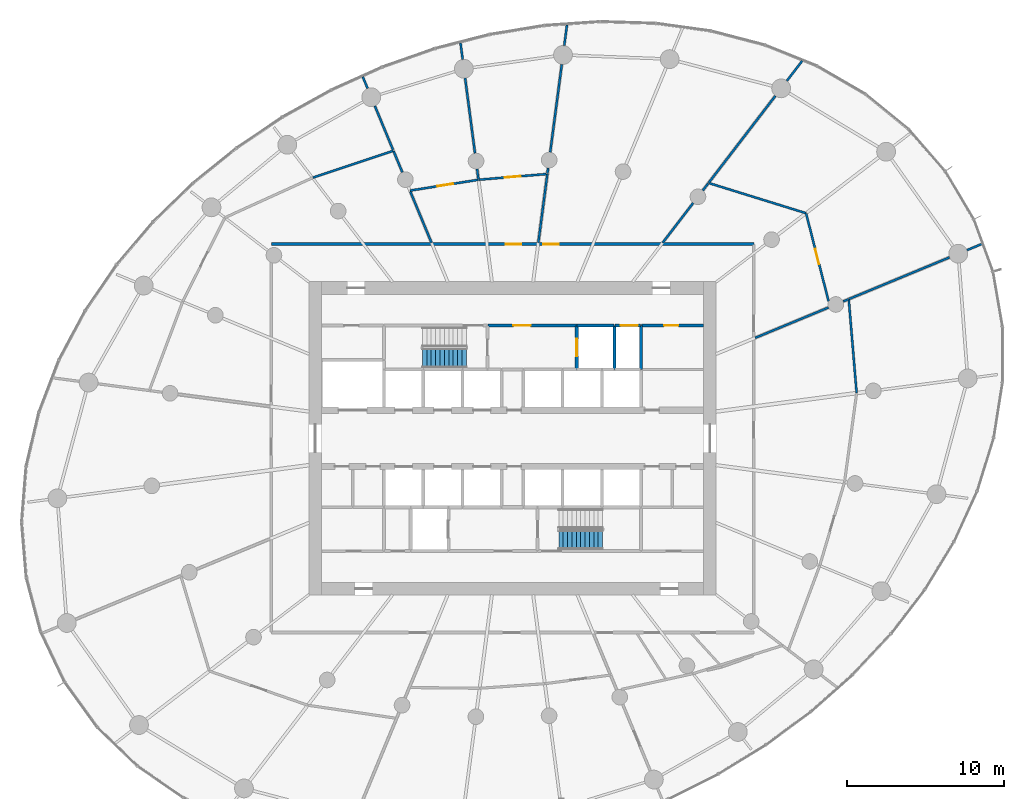
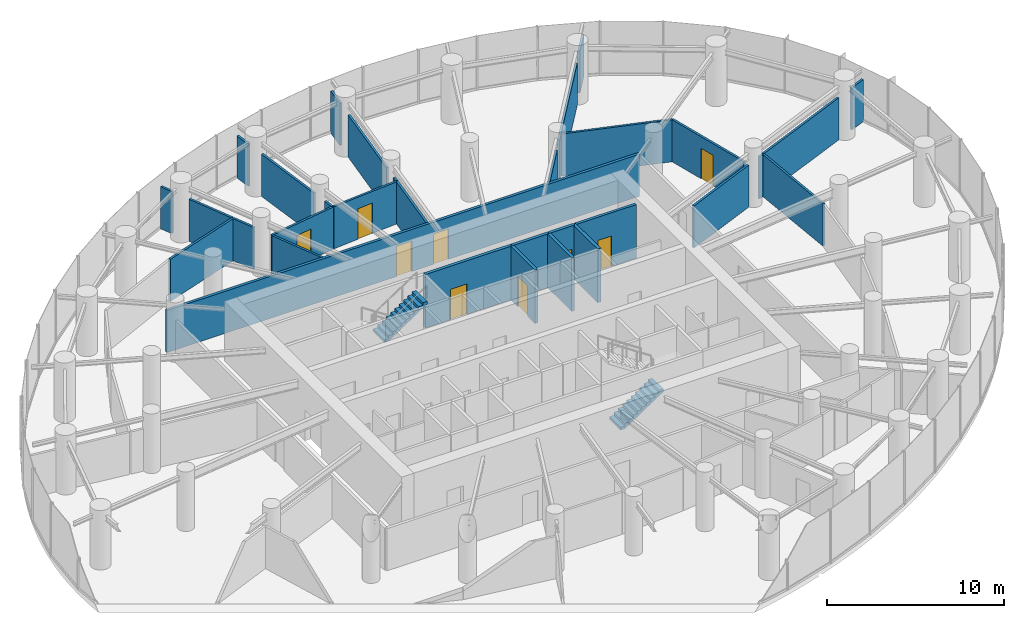
# One storey, part 13 of 17: 33 walls, 9 doors, 2 stair flights, 9 openings, 2 elements without a shape of their own.
"""IFC4 building model written with IfcOpenShell, lengths in metres."""

from ifc_helpers import new_model, si_unit, direction, frame, frame_2d, origin, place, context, subcontext, project, spatial, line, indexed_curve, rectangle, outline, extrude, source, transform, mapped, material, layer, layer_set, type_object, element, fill, aggregate, save


model = new_model("IFC4")

# Units and contexts
model_context = context("Model", 3, precision=1e-05, world=origin(), true_north=direction((0.0, 1.0)))
body_context = subcontext(model_context, "Body", "Model", "MODEL_VIEW")
ifc_project = project(units=[si_unit("LENGTHUNIT", "METRE"), si_unit("AREAUNIT", "SQUARE_METRE"), si_unit("VOLUMEUNIT", "CUBIC_METRE"), si_unit("PLANEANGLEUNIT", "RADIAN"), si_unit("MASSUNIT", "GRAM", prefix="KILO")], contexts=[model_context])

# Site, building, storey
site_placement = place(None, origin())
site = spatial("IfcSite", under=ifc_project, at=site_placement, CompositionType="ELEMENT")
building_placement = place(site_placement, origin())
building = spatial("IfcBuilding", under=site, at=building_placement, Name="Spindrift Exchange Tower", CompositionType="ELEMENT")
storey_placement = place(building_placement, frame((0.0, 0.0, 96.199951171875)))
storey = spatial("IfcBuildingStorey", under=building, at=storey_placement, Name="L22", CompositionType="ELEMENT", Elevation=96.199951171875)

# Wall, opening, door
ifc_material_1 = material(Name="Fire-rated plasterboard partition", Category="gypsum")
ifc_layer_1 = layer(ifc_material_1, 0.179931640625)
ifc_layer_set_1 = layer_set([ifc_layer_1], Name="W-CORR-180")
wall_type_1 = type_object("IfcWallType", Name="W-CORR-180", PredefinedType="PARTITIONING", material=ifc_layer_set_1)
wall_1_placement = place(storey_placement, frame((64.179931640625, 55.199951171875, 0.0), z_axis=(0.0, 0.0, 1.0), x_axis=(-1.0, 0.0, 0.0)))
wall_1 = element("IfcWall", 1, at=wall_1_placement, inside=storey, type_object=wall_type_1, Name="L22 Partition wall 62", PredefinedType="PARTITIONING", context=body_context, shape_type="SweptSolid", body=[
    extrude(rectangle(XDim=3.949951171875, YDim=0.179931640625, at=frame_2d((1.97509765625, 0.0))), origin(), (0.0, 0.0, 1.0), 3.699951171875),
])
opening_1_placement = place(wall_1_placement, frame((1.60009765625, 0.0, 0.0)))
opening_1 = element("IfcOpeningElement", 2, at=opening_1_placement, cuts=wall_1, Name="Opening L22-D48", PredefinedType="OPENING", context=body_context, shape_type="SweptSolid", body=[
    extrude(rectangle(XDim=0.89990234375, YDim=2.10009765625, at=frame_2d((0.449951171875, 1.050048828125))), frame((0.0, 0.099853515625, 0.0), z_axis=(0.0, -1.0, 0.0), x_axis=(1.0, 0.0, 0.0)), (0.0, 0.0, 1.0), 0.199951171875),
])
ifc_material_2 = material(Name="Steel access door", Category="steel")
door_type_1 = type_object("IfcDoorType", Name="DR-RISER-900", OperationType="NOTDEFINED", PredefinedType="DOOR", material=ifc_material_2)
shared_shape_1 = source(origin(), body_context, "Body", "SweptSolid", [
    extrude(rectangle(XDim=0.89990234375, YDim=2.10009765625, at=frame_2d((0.449951171875, 1.050048828125))), frame((0.0, 0.02490234375, 0.0), z_axis=(0.0, -1.0, 0.0), x_axis=(1.0, 0.0, 0.0)), (0.0, 0.0, 1.0), 0.050048828125),
])
door_1_placement = place(opening_1_placement, origin())
door_1 = element("IfcDoor", 3, at=door_1_placement, inside=storey, type_object=door_type_1, Name="L22 Riser door 48", OperationType="SINGLE_SWING_LEFT", OverallHeight=2.10009765625, OverallWidth=0.89990234375, PredefinedType="DOOR", context=body_context, shape_type="MappedRepresentation", body=[
    mapped(shared_shape_1, transform((0.0, 0.0, 0.0), scale=1.0)),
])
fill(opening_1, door_1)

# Wall
ifc_layer_2 = layer(ifc_material_1, 0.139892578125)
ifc_layer_set_2 = layer_set([ifc_layer_2], Name="W-PART-140")
wall_type_2 = type_object("IfcWallType", Name="W-PART-140", PredefinedType="PARTITIONING", material=ifc_layer_set_2)
wall_2_placement = place(storey_placement, frame((70.734619140625, 62.37548828125, 0.0), z_axis=(0.0, 0.0, 1.0), x_axis=(-0.955154002862, 0.296109491264, 0.0)))
element("IfcWall", 4, at=wall_2_placement, inside=storey, type_object=wall_type_2, Name="L22 Partition wall 70", PredefinedType="PARTITIONING", context=body_context, shape_type="SweptSolid", body=[
    extrude(rectangle(XDim=6.44091796875, YDim=0.139892578125, at=frame_2d((3.220458984375, 0.0))), origin(), (0.0, 0.0, 1.0), 2.900146484375),
])

# Wall, opening, door
wall_3_placement = place(storey_placement, frame((70.741943359375, 62.346435546875, 0.0), z_axis=(0.0, 0.0, 1.0), x_axis=(0.248578766965, -0.968611685153, 0.0)))
wall_3 = element("IfcWall", 5, at=wall_3_placement, inside=storey, type_object=wall_type_2, Name="L22 Partition wall 78", PredefinedType="PARTITIONING", context=body_context, shape_type="SweptSolid", body=[
    extrude(rectangle(XDim=5.77490234375, YDim=0.139892578125, at=frame_2d((2.887451171875, 0.0))), origin(), (0.0, 0.0, 1.0), 2.900146484375),
])
opening_2_placement = place(wall_3_placement, frame((2.3251953125, 0.0, 0.0)))
opening_2 = element("IfcOpeningElement", 6, at=opening_2_placement, cuts=wall_3, Name="Opening L22-D31", PredefinedType="OPENING", context=body_context, shape_type="SweptSolid", body=[
    extrude(rectangle(XDim=1.0, YDim=2.10009765625, at=frame_2d((0.5, 1.050048828125))), frame((0.0, 0.079833984375, 0.0), z_axis=(0.0, -1.0, 0.0), x_axis=(1.0, 0.0, 0.0)), (0.0, 0.0, 1.0), 0.159912109375),
])
ifc_material_3 = material(Name="Timber-core fire door", Category="wood")
door_type_2 = type_object("IfcDoorType", Name="DR-ROOM-1000", OperationType="NOTDEFINED", PredefinedType="DOOR", material=ifc_material_3)
shared_shape_2 = source(origin(), body_context, "Body", "SweptSolid", [
    extrude(rectangle(XDim=1.0, YDim=2.10009765625, at=frame_2d((0.5, 1.050048828125))), frame((0.0, 0.02490234375, 0.0), z_axis=(0.0, -1.0, 0.0), x_axis=(1.0, 0.0, 0.0)), (0.0, 0.0, 1.0), 0.050048828125),
])
door_2_placement = place(opening_2_placement, origin())
door_2 = element("IfcDoor", 7, at=door_2_placement, inside=storey, type_object=door_type_2, Name="L22 Door 31", OperationType="SINGLE_SWING_RIGHT", OverallHeight=2.10009765625, OverallWidth=1.0, PredefinedType="DOOR", context=body_context, shape_type="MappedRepresentation", body=[
    mapped(shared_shape_2, transform((0.0, 0.0, 0.0), scale=1.0)),
])
fill(opening_2, door_2)

# Wall
wall_4_placement = place(storey_placement, frame((67.489990234375, 54.416259765625, 0.0), z_axis=(0.0, 0.0, 1.0), x_axis=(0.923890025086, 0.382658100067, 0.0)))
element("IfcWall", 8, at=wall_4_placement, inside=storey, type_object=wall_type_2, Name="L22 Partition wall 86", PredefinedType="PARTITIONING", context=body_context, shape_type="SweptSolid", body=[
    extrude(rectangle(XDim=5.068359375, YDim=0.139892578125, at=frame_2d((2.5341796875, 0.0))), origin(), (0.0, 0.0, 1.0), 2.900146484375),
])

# Wall, opening, door
wall_5_placement = place(storey_placement, frame((49.856201171875, 64.5126953125, 0.0), z_axis=(0.0, 0.0, 1.0), x_axis=(0.996498324855, 0.083612729662, 0.0)))
wall_5 = element("IfcWall", 9, at=wall_5_placement, inside=storey, type_object=wall_type_2, Name="L22 Partition wall 94", PredefinedType="PARTITIONING", context=body_context, shape_type="SweptSolid", body=[
    extrude(rectangle(XDim=4.309814453125, YDim=0.139892578125, at=frame_2d((2.15478515625, 0.0))), origin(), (0.0, 0.0, 1.0), 2.900146484375),
])
opening_3_placement = place(wall_5_placement, frame((1.65966796875, 0.0, 0.0)))
opening_3 = element("IfcOpeningElement", 10, at=opening_3_placement, cuts=wall_5, Name="Opening L22-D34", PredefinedType="OPENING", context=body_context, shape_type="SweptSolid", body=[
    extrude(rectangle(XDim=1.0, YDim=2.10009765625, at=frame_2d((0.5, 1.050048828125))), frame((0.0, 0.079833984375, 0.0), z_axis=(0.0, -1.0, 0.0), x_axis=(1.0, 0.0, 0.0)), (0.0, 0.0, 1.0), 0.159912109375),
])
door_3_placement = place(opening_3_placement, origin())
door_3 = element("IfcDoor", 11, at=door_3_placement, inside=storey, type_object=door_type_2, Name="L22 Door 34", OperationType="SINGLE_SWING_LEFT", OverallHeight=2.10009765625, OverallWidth=1.0, PredefinedType="DOOR", context=body_context, shape_type="MappedRepresentation", body=[
    mapped(shared_shape_2, transform((0.0, 0.0, 0.0), scale=1.0)),
])
fill(opening_3, door_3)

# Walls
wall_6_placement = place(storey_placement, frame((73.10595703125, 56.7421875, 0.0), z_axis=(0.0, 0.0, 1.0), x_axis=(0.923646914224, 0.383244540529, 0.0)))
element("IfcWall", 12, at=wall_6_placement, inside=storey, type_object=wall_type_2, Name="L22 Partition wall 128", PredefinedType="PARTITIONING", context=body_context, shape_type="SweptSolid", body=[
    extrude(rectangle(XDim=0.354248046875, YDim=0.139892578125, at=frame_2d((0.17724609375, 0.0))), origin(), (0.0, 0.0, 1.0), 2.900146484375),
])
ifc_layer_3 = layer(ifc_material_1, 0.139892578125)
ifc_layer_set_3 = layer_set([ifc_layer_3], Name="W-PLANT-140")
wall_type_3 = type_object("IfcWallType", Name="W-PLANT-140", PredefinedType="PARTITIONING", material=ifc_layer_set_3)
wall_7_placement = place(storey_placement, frame((64.51123046875, 64.304931640625, 0.0), z_axis=(0.0, 0.0, 1.0), x_axis=(0.608747408716, 0.793364098244, 0.0)))
element("IfcWall", 13, at=wall_7_placement, inside=storey, type_object=wall_type_3, Name="L22 Partition wall 66", PredefinedType="PARTITIONING", context=body_context, shape_type="SweptSolid", body=[
    extrude(rectangle(XDim=7.0087890625, YDim=0.139892578125, at=frame_2d((3.50439453125, 0.0))), origin(), (0.0, 0.0, 1.0), 2.900146484375),
])
wall_8_placement = place(storey_placement, frame((73.4609375, 56.889404296875, 0.0), z_axis=(0.0, 0.0, 1.0), x_axis=(0.923875437127, 0.382693319347, 0.0)))
element("IfcWall", 14, at=wall_8_placement, inside=storey, type_object=wall_type_3, Name="L22 Partition wall 67", PredefinedType="PARTITIONING", context=body_context, shape_type="SweptSolid", body=[
    extrude(rectangle(XDim=6.9658203125, YDim=0.139892578125, at=frame_2d((3.48291015625, 0.0))), origin(), (0.0, 0.0, 1.0), 2.900146484375),
])
wall_9_placement = place(storey_placement, frame((73.9658203125, 50.891845703125, 0.0), z_axis=(0.0, 0.0, 1.0), x_axis=(-0.083895623438, 0.996474547777, 0.0)))
element("IfcWall", 15, at=wall_9_placement, inside=storey, type_object=wall_type_3, Name="L22 Partition wall 74", PredefinedType="PARTITIONING", context=body_context, shape_type="SweptSolid", body=[
    extrude(rectangle(XDim=5.98876953125, YDim=0.139892578125, at=frame_2d((2.994384765625, 0.0))), origin(), (0.0, 0.0, 1.0), 2.900146484375),
])
wall_10_placement = place(storey_placement, frame((54.405029296875, 66.267333984375, 0.0), z_axis=(0.0, 0.0, 1.0), x_axis=(0.130510314557, 0.991446951578, 0.0)))
element("IfcWall", 16, at=wall_10_placement, inside=storey, type_object=wall_type_3, Name="L22 Partition wall 82", PredefinedType="PARTITIONING", context=body_context, shape_type="SweptSolid", body=[
    extrude(rectangle(XDim=5.65869140625, YDim=0.139892578125, at=frame_2d((2.829345703125, 0.0))), origin(), (0.0, 0.0, 1.0), 2.900146484375),
])
wall_11_placement = place(storey_placement, frame((44.3935546875, 66.36328125, 0.0), z_axis=(0.0, 0.0, 1.0), x_axis=(-0.948344350496, -0.317242797999, 0.0)))
element("IfcWall", 17, at=wall_11_placement, inside=storey, type_object=wall_type_3, Name="L22 Partition wall 84", PredefinedType="PARTITIONING", context=body_context, shape_type="SweptSolid", body=[
    extrude(rectangle(XDim=5.410888671875, YDim=0.139892578125, at=frame_2d((2.70556640625, 0.0))), origin(), (0.0, 0.0, 1.0), 2.900146484375),
])
wall_12_placement = place(storey_placement, frame((49.603515625, 66.203369140625, 0.0), z_axis=(0.0, 0.0, 1.0), x_axis=(-0.130552494248, 0.991441398291, 0.0)))
element("IfcWall", 18, at=wall_12_placement, inside=storey, type_object=wall_type_3, Name="L22 Partition wall 87", PredefinedType="PARTITIONING", context=body_context, shape_type="SweptSolid", body=[
    extrude(rectangle(XDim=4.833984375, YDim=0.139892578125, at=frame_2d((2.4169921875, 0.0))), origin(), (0.0, 0.0, 1.0), 2.900146484375),
])
wall_13_placement = place(storey_placement, frame((53.644287109375, 60.489990234375, 0.0), z_axis=(0.0, 0.0, 1.0), x_axis=(0.130541536681, 0.991442841116, 0.0)))
element("IfcWall", 19, at=wall_13_placement, inside=storey, type_object=wall_type_3, Name="L22 Partition wall 90", PredefinedType="PARTITIONING", context=body_context, shape_type="SweptSolid", body=[
    extrude(rectangle(XDim=4.4267578125, YDim=0.139892578125, at=frame_2d((2.21337890625, 0.0))), origin(), (0.0, 0.0, 1.0), 2.900146484375),
])

# Wall, opening, door
wall_14_placement = place(storey_placement, frame((45.448486328125, 63.81640625, 0.0), z_axis=(0.0, 0.0, 1.0), x_axis=(0.987681104019, 0.156480148144, 0.0)))
wall_14 = element("IfcWall", 20, at=wall_14_placement, inside=storey, type_object=wall_type_3, Name="L22 Partition wall 93", PredefinedType="PARTITIONING", context=body_context, shape_type="SweptSolid", body=[
    extrude(rectangle(XDim=4.4326171875, YDim=0.139892578125, at=frame_2d((2.21630859375, 0.0))), origin(), (0.0, 0.0, 1.0), 2.900146484375),
])
opening_4_placement = place(wall_14_placement, frame((1.782470703125, 0.0, 0.0)))
opening_4 = element("IfcOpeningElement", 21, at=opening_4_placement, cuts=wall_14, Name="Opening L22-D35", PredefinedType="OPENING", context=body_context, shape_type="SweptSolid", body=[
    extrude(rectangle(XDim=1.0, YDim=2.10009765625, at=frame_2d((0.5, 1.050048828125))), frame((0.0, 0.079833984375, 0.0), z_axis=(0.0, -1.0, 0.0), x_axis=(1.0, 0.0, 0.0)), (0.0, 0.0, 1.0), 0.159912109375),
])
door_4_placement = place(opening_4_placement, origin())
door_4 = element("IfcDoor", 22, at=door_4_placement, inside=storey, type_object=door_type_2, Name="L22 Door 35", OperationType="SINGLE_SWING_RIGHT", OverallHeight=2.10009765625, OverallWidth=1.0, PredefinedType="DOOR", context=body_context, shape_type="MappedRepresentation", body=[
    mapped(shared_shape_2, transform((0.0, 0.0, 0.0), scale=1.0)),
])
fill(opening_4, door_4)

# Walls
wall_15_placement = place(storey_placement, frame((46.826416015625, 60.489990234375, 0.0), z_axis=(0.0, 0.0, 1.0), x_axis=(-0.382624745771, 0.923903839111, 0.0)))
element("IfcWall", 23, at=wall_15_placement, inside=storey, type_object=wall_type_3, Name="L22 Partition wall 100", PredefinedType="PARTITIONING", context=body_context, shape_type="SweptSolid", body=[
    extrude(rectangle(XDim=3.528564453125, YDim=0.139892578125, at=frame_2d((1.76416015625, 0.0))), origin(), (0.0, 0.0, 1.0), 2.900146484375),
])
wall_16_placement = place(storey_placement, frame((61.583984375, 60.489990234375, 0.0), z_axis=(0.0, 0.0, 1.0), x_axis=(0.60874605662, 0.793365135703, 0.0)))
element("IfcWall", 24, at=wall_16_placement, inside=storey, type_object=wall_type_3, Name="L22 Partition wall 101", PredefinedType="PARTITIONING", context=body_context, shape_type="SweptSolid", body=[
    extrude(rectangle(XDim=3.193603515625, YDim=0.139892578125, at=frame_2d((1.5966796875, 0.0))), origin(), (0.0, 0.0, 1.0), 2.900146484375),
])
wall_17_placement = place(storey_placement, frame((44.36669921875, 66.42822265625, 0.0), z_axis=(0.0, 0.0, 1.0), x_axis=(-0.382653687311, 0.923891852755, 0.0)))
element("IfcWall", 25, at=wall_17_placement, inside=storey, type_object=wall_type_3, Name="L22 Partition wall 102", PredefinedType="PARTITIONING", context=body_context, shape_type="SweptSolid", body=[
    extrude(rectangle(XDim=3.023681640625, YDim=0.139892578125, at=frame_2d((1.51171875, 0.0))), origin(), (0.0, 0.0, 1.0), 2.900146484375),
])
wall_18_placement = place(storey_placement, frame((69.513671875, 70.82421875, 0.0), z_axis=(0.0, 0.0, 1.0), x_axis=(0.608843265378, 0.79329053833, 0.0)))
element("IfcWall", 26, at=wall_18_placement, inside=storey, type_object=wall_type_3, Name="L22 Partition wall 114", PredefinedType="PARTITIONING", context=body_context, shape_type="SweptSolid", body=[
    extrude(rectangle(XDim=1.60546875, YDim=0.139892578125, at=frame_2d((0.802734375, 0.0))), origin(), (0.0, 0.0, 1.0), 2.900146484375),
])
wall_19_placement = place(storey_placement, frame((44.965087890625, 64.984130859375, 0.0), z_axis=(0.0, 0.0, 1.0), x_axis=(-0.382813576456, 0.923825614324, 0.0)))
element("IfcWall", 27, at=wall_19_placement, inside=storey, type_object=wall_type_3, Name="L22 Partition wall 116", PredefinedType="PARTITIONING", context=body_context, shape_type="SweptSolid", body=[
    extrude(rectangle(XDim=1.462890625, YDim=0.139892578125, at=frame_2d((0.7314453125, 0.0))), origin(), (0.0, 0.0, 1.0), 2.900146484375),
])
wall_20_placement = place(storey_placement, frame((55.30126953125, 73.075927734375, 0.0), z_axis=(0.0, 0.0, 1.0), x_axis=(0.130459252334, 0.991453671878, 0.0)))
element("IfcWall", 28, at=wall_20_placement, inside=storey, type_object=wall_type_3, Name="L22 Partition wall 117", PredefinedType="PARTITIONING", context=body_context, shape_type="SweptSolid", body=[
    extrude(rectangle(XDim=1.33251953125, YDim=0.139892578125, at=frame_2d((0.666259765625, 0.0))), origin(), (0.0, 0.0, 1.0), 2.900146484375),
])
wall_21_placement = place(storey_placement, frame((48.814697265625, 72.194580078125, 0.0), z_axis=(0.0, 0.0, 1.0), x_axis=(-0.130532066482, 0.991444087995, 0.0)))
element("IfcWall", 29, at=wall_21_placement, inside=storey, type_object=wall_type_3, Name="L22 Partition wall 119", PredefinedType="PARTITIONING", context=body_context, shape_type="SweptSolid", body=[
    extrude(rectangle(XDim=1.05859375, YDim=0.139892578125, at=frame_2d((0.529296875, 0.0))), origin(), (0.0, 0.0, 1.0), 2.900146484375),
])
wall_22_placement = place(storey_placement, frame((81.014404296875, 60.018310546875, 0.0), z_axis=(0.0, 0.0, 1.0), x_axis=(0.923912211219, 0.382604529457, 0.0)))
element("IfcWall", 30, at=wall_22_placement, inside=storey, type_object=wall_type_3, Name="L22 Partition wall 120", PredefinedType="PARTITIONING", context=body_context, shape_type="SweptSolid", body=[
    extrude(rectangle(XDim=1.05224609375, YDim=0.139892578125, at=frame_2d((0.526123046875, 0.0))), origin(), (0.0, 0.0, 1.0), 2.900146484375),
])
wall_23_placement = place(storey_placement, frame((42.74658203125, 70.339599609375, 0.0), z_axis=(0.0, 0.0, 1.0), x_axis=(-0.382766463222, 0.923845135633, 0.0)))
element("IfcWall", 31, at=wall_23_placement, inside=storey, type_object=wall_type_3, Name="L22 Partition wall 123", PredefinedType="PARTITIONING", context=body_context, shape_type="SweptSolid", body=[
    extrude(rectangle(XDim=0.79736328125, YDim=0.139892578125, at=frame_2d((0.398681640625, 0.0))), origin(), (0.0, 0.0, 1.0), 2.900146484375),
])
wall_24_placement = place(storey_placement, frame((49.822509765625, 64.539794921875, 0.0), z_axis=(0.0, 0.0, 1.0), x_axis=(-0.13063385496, 0.991430681358, 0.0)))
element("IfcWall", 32, at=wall_24_placement, inside=storey, type_object=wall_type_3, Name="L22 Partition wall 125", PredefinedType="PARTITIONING", context=body_context, shape_type="SweptSolid", body=[
    extrude(rectangle(XDim=0.6689453125, YDim=0.139892578125, at=frame_2d((0.33447265625, 0.0))), origin(), (0.0, 0.0, 1.0), 2.900146484375),
])
wall_25_placement = place(storey_placement, frame((64.14208984375, 63.823974609375, 0.0), z_axis=(0.0, 0.0, 1.0), x_axis=(0.608911807211, 0.793237928392, 0.0)))
element("IfcWall", 33, at=wall_25_placement, inside=storey, type_object=wall_type_3, Name="L22 Partition wall 126", PredefinedType="PARTITIONING", context=body_context, shape_type="SweptSolid", body=[
    extrude(rectangle(XDim=0.576171875, YDim=0.139892578125, at=frame_2d((0.2880859375, 0.0))), origin(), (0.0, 0.0, 1.0), 2.900146484375),
])
wall_26_placement = place(storey_placement, frame((54.22607421875, 64.90869140625, 0.0), z_axis=(0.0, 0.0, 1.0), x_axis=(0.130349686634, 0.991468082792, 0.0)))
element("IfcWall", 34, at=wall_26_placement, inside=storey, type_object=wall_type_3, Name="L22 Partition wall 127", PredefinedType="PARTITIONING", context=body_context, shape_type="SweptSolid", body=[
    extrude(rectangle(XDim=0.361572265625, YDim=0.139892578125, at=frame_2d((0.1806640625, 0.0))), origin(), (0.0, 0.0, 1.0), 2.900146484375),
])

# Wall, openings, doors
ifc_layer_4 = layer(ifc_material_1, 0.179931640625)
ifc_layer_set_4 = layer_set([ifc_layer_4], Name="W-PLANT-180")
wall_type_4 = type_object("IfcWallType", Name="W-PLANT-180", PredefinedType="PARTITIONING", material=ifc_layer_set_4)
wall_27_placement = place(storey_placement, frame((36.60009765625, 60.39990234375, 0.0), z_axis=(0.0, 0.0, 1.0), x_axis=(1.0, 0.0, 0.0)))
wall_27 = element("IfcWall", 35, at=wall_27_placement, inside=storey, type_object=wall_type_4, Name="L22 Partition wall 58", PredefinedType="PARTITIONING", context=body_context, shape_type="SweptSolid", body=[
    extrude(rectangle(XDim=30.7998046875, YDim=0.179931640625, at=frame_2d((15.39990234375, 0.0))), origin(), (0.0, 0.0, 1.0), 2.900146484375),
])
opening_5_placement = place(wall_27_placement, frame((17.35009765625, 0.0, 0.0)))
opening_5 = element("IfcOpeningElement", 36, at=opening_5_placement, cuts=wall_27, Name="Opening L22-D32", PredefinedType="OPENING", context=body_context, shape_type="SweptSolid", body=[
    extrude(rectangle(XDim=1.0, YDim=2.10009765625, at=frame_2d((0.5, 1.050048828125))), frame((0.0, 0.099853515625, 0.0), z_axis=(0.0, -1.0, 0.0), x_axis=(1.0, 0.0, 0.0)), (0.0, 0.0, 1.0), 0.199951171875),
])
opening_6_placement = place(wall_27_placement, frame((14.949951171875, 0.0, 0.0)))
opening_6 = element("IfcOpeningElement", 37, at=opening_6_placement, cuts=wall_27, Name="Opening L22-D33", PredefinedType="OPENING", context=body_context, shape_type="SweptSolid", body=[
    extrude(rectangle(XDim=1.0, YDim=2.10009765625, at=frame_2d((0.5, 1.050048828125))), frame((0.0, 0.099853515625, 0.0), z_axis=(0.0, -1.0, 0.0), x_axis=(1.0, 0.0, 0.0)), (0.0, 0.0, 1.0), 0.199951171875),
])
door_5_placement = place(opening_5_placement, origin())
door_5 = element("IfcDoor", 38, at=door_5_placement, inside=storey, type_object=door_type_2, Name="L22 Door 32", OperationType="SINGLE_SWING_LEFT", OverallHeight=2.10009765625, OverallWidth=1.0, PredefinedType="DOOR", context=body_context, shape_type="MappedRepresentation", body=[
    mapped(shared_shape_2, transform((0.0, 0.0, 0.0), scale=1.0)),
])
fill(opening_5, door_5)
door_6_placement = place(opening_6_placement, origin())
door_6 = element("IfcDoor", 39, at=door_6_placement, inside=storey, type_object=door_type_2, Name="L22 Door 33", OperationType="SINGLE_SWING_RIGHT", OverallHeight=2.10009765625, OverallWidth=1.0, PredefinedType="DOOR", context=body_context, shape_type="MappedRepresentation", body=[
    mapped(shared_shape_2, transform((0.0, 0.0, 0.0), scale=1.0)),
])
fill(opening_6, door_6)

# Wall, opening, door
ifc_material_4 = material(Name="Concrete 40 MPa", Category="concrete")
ifc_layer_5 = layer(ifc_material_4, 0.199951171875)
ifc_layer_set_5 = layer_set([ifc_layer_5], Name="W-SHAFT-200")
wall_type_5 = type_object("IfcWallType", Name="W-SHAFT-200", PredefinedType="SOLIDWALL", material=ifc_layer_set_5)
wall_28_placement = place(storey_placement, frame((56.10009765625, 55.169921875, 0.0), z_axis=(0.0, 0.0, 1.0), x_axis=(0.0, -1.0, 0.0)))
wall_28 = element("IfcWall", 40, at=wall_28_placement, inside=storey, type_object=wall_type_5, Name="L22 Shaft wall 12", PredefinedType="SOLIDWALL", context=body_context, shape_type="SweptSolid", body=[
    extrude(rectangle(XDim=2.77001953125, YDim=0.199951171875, at=frame_2d((1.385009765625, 0.0))), origin(), (0.0, 0.0, 1.0), 3.699951171875),
])
opening_7_placement = place(wall_28_placement, frame((0.820068359375, 0.0, 0.0)))
opening_7 = element("IfcOpeningElement", 41, at=opening_7_placement, cuts=wall_28, Name="Opening L22-D9", PredefinedType="OPENING", context=body_context, shape_type="SweptSolid", body=[
    extrude(rectangle(XDim=1.10009765625, YDim=2.10009765625, at=frame_2d((0.550048828125, 1.050048828125))), frame((0.0, 0.10986328125, 0.0), z_axis=(0.0, -1.0, 0.0), x_axis=(1.0, 0.0, 0.0)), (0.0, 0.0, 1.0), 0.219970703125),
])
ifc_material_5 = material(Name="Stainless steel landing door", Category="steel")
door_type_3 = type_object("IfcDoorType", Name="DR-LANDING-1100-SL", OperationType="DOUBLE_DOOR_SLIDING", PredefinedType="USERDEFINED", material=ifc_material_5)
shared_shape_3 = source(origin(), body_context, "Body", "SweptSolid", [
    extrude(rectangle(XDim=1.10009765625, YDim=2.10009765625, at=frame_2d((0.550048828125, 1.050048828125))), frame((0.0, 0.02490234375, 0.0), z_axis=(0.0, -1.0, 0.0), x_axis=(1.0, 0.0, 0.0)), (0.0, 0.0, 1.0), 0.050048828125),
])
door_7_placement = place(opening_7_placement, origin())
door_7 = element("IfcDoor", 42, at=door_7_placement, inside=storey, type_object=door_type_3, Name="L22 Lift landing door 9", ObjectType="LANDING DOOR", OperationType="DOUBLE_DOOR_SLIDING", OverallHeight=2.10009765625, OverallWidth=1.10009765625, PredefinedType="USERDEFINED", context=body_context, shape_type="MappedRepresentation", body=[
    mapped(shared_shape_3, transform((0.0, 0.0, 0.0), scale=1.0)),
])
fill(opening_7, door_7)

# Walls
for number, where, z_axis, x_axis, name in (
    (43, (58.5, 52.39990234375, 0.0), (0.0, 0.0, 1.0), (0.0, 1.0, 0.0), "L22 Shaft wall 13"),
    (44, (60.199951171875, 52.39990234375, 0.0), (0.0, 0.0, 1.0), (0.0, 1.0, 0.0), "L22 Shaft wall 14"),
):
    element("IfcWall", number, at=place(storey_placement, frame(where, z_axis=z_axis, x_axis=x_axis)), inside=storey, type_object=wall_type_5, Name=name, PredefinedType="SOLIDWALL", context=body_context, shape_type="SweptSolid", body=[
        extrude(rectangle(XDim=2.800048828125, YDim=0.199951171875, at=frame_2d((1.39990234375, 0.0))), origin(), (0.0, 0.0, 1.0), 3.699951171875),
    ])
wall_29_placement = place(storey_placement, frame((58.469970703125, 55.199951171875, 0.0), z_axis=(0.0, 0.0, 1.0), x_axis=(-1.0, 0.0, 0.0)))
element("IfcWall", 45, at=wall_29_placement, inside=storey, type_object=wall_type_5, Name="L22 Shaft wall 22", PredefinedType="SOLIDWALL", context=body_context, shape_type="SweptSolid", body=[
    extrude(rectangle(XDim=2.340087890625, YDim=0.199951171875, at=frame_2d((1.169921875, 0.0))), origin(), (0.0, 0.0, 1.0), 3.699951171875),
])

# Wall, opening, door
wall_30_placement = place(storey_placement, frame((60.169921875, 55.199951171875, 0.0), z_axis=(0.0, 0.0, 1.0), x_axis=(-1.0, 0.0, 0.0)))
wall_30 = element("IfcWall", 46, at=wall_30_placement, inside=storey, type_object=wall_type_5, Name="L22 Shaft wall 43", PredefinedType="SOLIDWALL", context=body_context, shape_type="SweptSolid", body=[
    extrude(rectangle(XDim=1.639892578125, YDim=0.199951171875, at=frame_2d((0.81982421875, 0.0))), origin(), (0.0, 0.0, 1.0), 3.699951171875),
])
opening_8_placement = place(wall_30_placement, frame((0.169921875, 0.0, 0.0)))
opening_8 = element("IfcOpeningElement", 47, at=opening_8_placement, cuts=wall_30, Name="Opening L22-D11", PredefinedType="OPENING", context=body_context, shape_type="SweptSolid", body=[
    extrude(rectangle(XDim=1.10009765625, YDim=2.10009765625, at=frame_2d((0.550048828125, 1.050048828125))), frame((0.0, 0.10986328125, 0.0), z_axis=(0.0, -1.0, 0.0), x_axis=(1.0, 0.0, 0.0)), (0.0, 0.0, 1.0), 0.219970703125),
])
door_8_placement = place(opening_8_placement, origin())
door_8 = element("IfcDoor", 48, at=door_8_placement, inside=storey, type_object=door_type_3, Name="L22 Lift landing door 11", ObjectType="LANDING DOOR", OperationType="DOUBLE_DOOR_SLIDING", OverallHeight=2.10009765625, OverallWidth=1.10009765625, PredefinedType="USERDEFINED", context=body_context, shape_type="MappedRepresentation", body=[
    mapped(shared_shape_3, transform((0.0, 0.0, 0.0), scale=1.0)),
])
fill(opening_8, door_8)

ifc_layer_6 = layer(ifc_material_4, 0.199951171875)
ifc_layer_set_6 = layer_set([ifc_layer_6], Name="W-SHAFT-200-LB")
wall_type_6 = type_object("IfcWallType", Name="W-SHAFT-200-LB", PredefinedType="SOLIDWALL", material=ifc_layer_set_6)
wall_31_placement = place(storey_placement, frame((56.10009765625, 55.199951171875, 0.0), z_axis=(0.0, 0.0, 1.0), x_axis=(-1.0, 0.0, 0.0)))
wall_31 = element("IfcWall", 49, at=wall_31_placement, inside=storey, type_object=wall_type_6, Name="L22 Shaft wall 4", PredefinedType="SOLIDWALL", context=body_context, shape_type="SweptSolid", body=[
    extrude(rectangle(XDim=5.670166015625, YDim=0.199951171875, at=frame_2d((2.8349609375, 0.0))), origin(), (0.0, 0.0, 1.0), 3.699951171875),
])
opening_9_placement = place(wall_31_placement, frame((2.949951171875, 0.0, 0.0)))
opening_9 = element("IfcOpeningElement", 50, at=opening_9_placement, cuts=wall_31, Name="Opening L22-D15", PredefinedType="OPENING", context=body_context, shape_type="SweptSolid", body=[
    extrude(rectangle(XDim=1.10009765625, YDim=2.10009765625, at=frame_2d((0.550048828125, 1.050048828125))), frame((0.0, 0.10986328125, 0.0), z_axis=(0.0, -1.0, 0.0), x_axis=(1.0, 0.0, 0.0)), (0.0, 0.0, 1.0), 0.219970703125),
])
door_type_4 = type_object("IfcDoorType", Name="DR-LOBBY-1100", OperationType="NOTDEFINED", PredefinedType="DOOR", material=ifc_material_3)
shared_shape_4 = source(origin(), body_context, "Body", "SweptSolid", [
    extrude(rectangle(XDim=1.10009765625, YDim=2.10009765625, at=frame_2d((0.550048828125, 1.050048828125))), frame((0.0, 0.02490234375, 0.0), z_axis=(0.0, -1.0, 0.0), x_axis=(1.0, 0.0, 0.0)), (0.0, 0.0, 1.0), 0.050048828125),
])
door_9_placement = place(opening_9_placement, origin())
door_9 = element("IfcDoor", 51, at=door_9_placement, inside=storey, type_object=door_type_4, Name="L22 Lobby door 15", OperationType="SINGLE_SWING_RIGHT", OverallHeight=2.10009765625, OverallWidth=1.10009765625, PredefinedType="DOOR", context=body_context, shape_type="MappedRepresentation", body=[
    mapped(shared_shape_4, transform((0.0, 0.0, 0.0), scale=1.0)),
])
fill(opening_9, door_9)

# Stair, stair flight
ifc_material_6 = material(Name="Concrete 50 MPa", Category="concrete")
stair_type = type_object("IfcStairType", Name="ST-1250-R186", PredefinedType="HALF_TURN_STAIR", material=ifc_material_6)
stair_1_placement = place(storey_placement, origin())
stair_1 = element("IfcStair", 52, at=stair_1_placement, inside=storey, type_object=stair_type, Name="L22 Exit stair ST1", PredefinedType="HALF_TURN_STAIR")
stair_flight_type = type_object("IfcStairFlightType", Name="STF-1250-R186", PredefinedType="STRAIGHT", material=ifc_material_6)
stair_flight_1_placement = place(storey_placement, frame((46.25, 53.125, 2.050048828125), z_axis=(0.0, 0.0, 1.0), x_axis=(1.0, 0.0, 0.0)))
stair_flight_1 = element("IfcStairFlight", 53, at=stair_flight_1_placement, type_object=stair_flight_type, Name="ST1 flight 2", NumberOfRisers=11, NumberOfTreads=10, PredefinedType="STRAIGHT", RiserHeight=0.186363636, TreadLength=0.28, context=body_context, shape_type="SweptSolid", body=[
    extrude(outline(indexed_curve([(0.0, 0.0), (0.0, 0.1865234375), (0.2802734375, 0.1865234375), (0.2802734375, 0.373046875), (0.5595703125, 0.373046875), (0.5595703125, 0.5595703125), (0.83984375, 0.5595703125), (0.83984375, 0.7451171875), (1.1201171875, 0.7451171875), (1.1201171875, 0.931640625), (1.400390625, 0.931640625), (1.400390625, 1.1181640625), (1.6796875, 1.1181640625), (1.6796875, 1.3046875), (1.9599609375, 1.3046875), (1.9599609375, 1.4912109375), (2.240234375, 1.4912109375), (2.240234375, 1.677734375), (2.51953125, 1.677734375), (2.51953125, 1.86328125), (2.7998046875, 1.86328125), (2.7998046875, 2.0498046875), (2.7998046875, 1.68359375), (0.2705078125, 0.0)], segments=[line(1, 2, 3, 4, 5, 6, 7, 8, 9, 10, 11, 12, 13, 14, 15, 16, 17, 18, 19, 20, 21, 22, 23, 24, 1)], self_intersect=False)), frame((0.0, 0.625, 0.0), z_axis=(0.0, -1.0, 0.0), x_axis=(1.0, 0.0, 0.0)), (0.0, 0.0, 1.0), 1.25),
])
aggregate(stair_1, [stair_flight_1])

stair_2_placement = place(storey_placement, origin())
stair_2 = element("IfcStair", 54, at=stair_2_placement, inside=storey, type_object=stair_type, Name="L22 Exit stair ST2", PredefinedType="HALF_TURN_STAIR")
stair_flight_2_placement = place(storey_placement, frame((54.949951171875, 41.52490234375, 0.0), z_axis=(0.0, 0.0, 1.0), x_axis=(1.0, 0.0, 0.0)))
stair_flight_2 = element("IfcStairFlight", 55, at=stair_flight_2_placement, type_object=stair_flight_type, Name="ST2 flight 1", NumberOfRisers=11, NumberOfTreads=10, PredefinedType="STRAIGHT", RiserHeight=0.186363636, TreadLength=0.28, context=body_context, shape_type="SweptSolid", body=[
    extrude(outline(indexed_curve([(0.0, 0.0), (0.0, 0.1865234375), (0.2802734375, 0.1865234375), (0.2802734375, 0.373046875), (0.5595703125, 0.373046875), (0.5595703125, 0.5595703125), (0.83984375, 0.5595703125), (0.83984375, 0.7451171875), (1.1201171875, 0.7451171875), (1.1201171875, 0.931640625), (1.400390625, 0.931640625), (1.400390625, 1.1181640625), (1.6796875, 1.1181640625), (1.6796875, 1.3046875), (1.9599609375, 1.3046875), (1.9599609375, 1.4912109375), (2.240234375, 1.4912109375), (2.240234375, 1.677734375), (2.51953125, 1.677734375), (2.51953125, 1.86328125), (2.7998046875, 1.86328125), (2.7998046875, 2.0498046875), (2.7998046875, 1.68359375), (0.2705078125, 0.0)], segments=[line(1, 2, 3, 4, 5, 6, 7, 8, 9, 10, 11, 12, 13, 14, 15, 16, 17, 18, 19, 20, 21, 22, 23, 24, 1)], self_intersect=False)), frame((0.0, 0.625, 0.0), z_axis=(0.0, -1.0, 0.0), x_axis=(1.0, 0.0, 0.0)), (0.0, 0.0, 1.0), 1.25),
])
aggregate(stair_2, [stair_flight_2])

save(model, "model.ifc")
